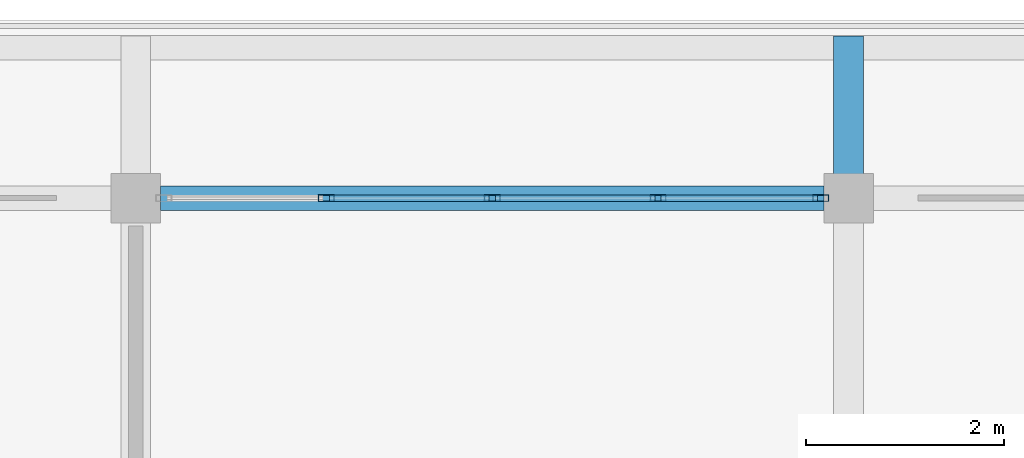
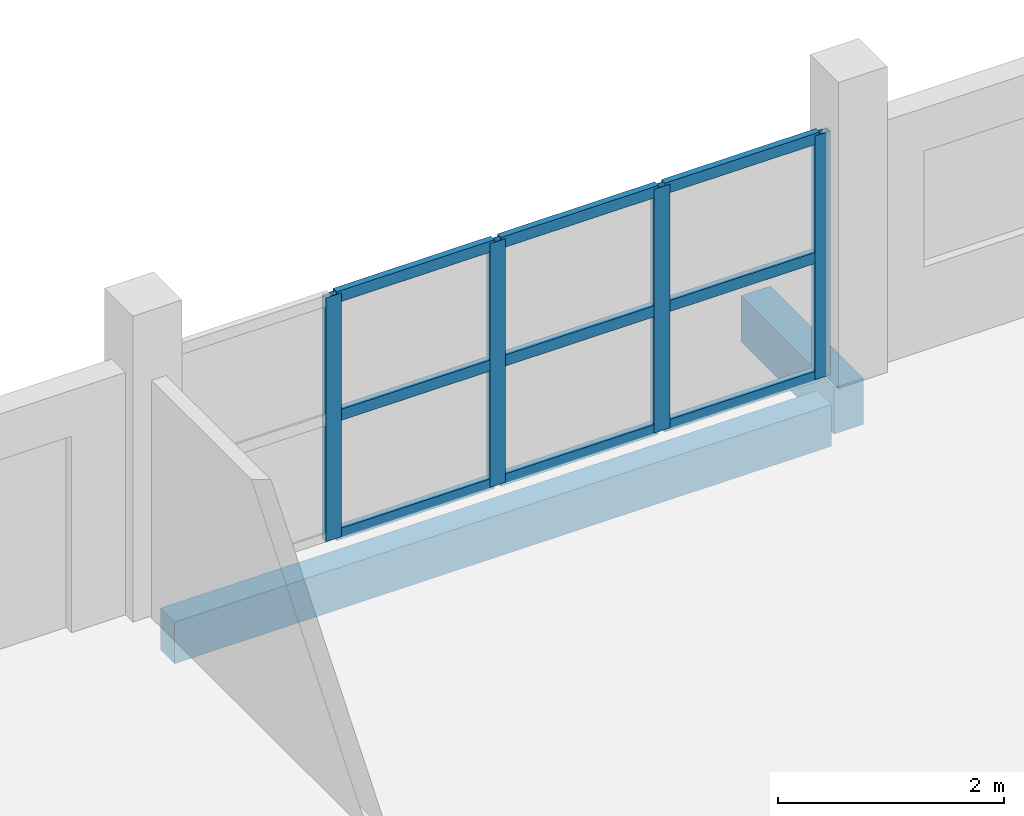
# One storey, part 7 of 19: 13 members, 2 beams, 1 element without a shape of its own.
"""IFC4 building model written with IfcOpenShell, lengths in metres."""

from ifc_helpers import new_model, si_unit, direction, frame, origin, origin_2d, place, context, subcontext, project, spatial, rectangle, hollow_rectangle, extrude, material, material_profile, profile_set, type_object, element, aggregate, save


model = new_model("IFC4")

# Units and contexts
model_context = context("Model", 3, precision=1e-05, world=origin(), true_north=direction((0.0, 1.0)))
body_context = subcontext(model_context, "Body", "Model", "MODEL_VIEW")
ifc_project = project(units=[si_unit("LENGTHUNIT", "METRE"), si_unit("AREAUNIT", "SQUARE_METRE"), si_unit("VOLUMEUNIT", "CUBIC_METRE"), si_unit("PLANEANGLEUNIT", "RADIAN"), si_unit("MASSUNIT", "GRAM", prefix="KILO")], contexts=[model_context])

# Site, building, storey
site_placement = place(None, origin())
site = spatial("IfcSite", under=ifc_project, at=site_placement, CompositionType="ELEMENT")
building_placement = place(site_placement, origin())
building = spatial("IfcBuilding", under=site, at=building_placement, Name="Suanplinth Sawtooth Commons", CompositionType="ELEMENT")
storey_placement = place(building_placement, frame((0.0, 0.0, 44.39990234375)))
storey = spatial("IfcBuildingStorey", under=building, at=storey_placement, Name="L13", CompositionType="ELEMENT", Elevation=44.39990234375)

# Beams
ifc_material_1 = material(Name="Precast concrete C40/50", Category="concrete")
ifc_material_profile_1 = material_profile(ifc_material_1, rectangle(XDim=0.300048828125, YDim=0.5, at=origin_2d()), Name="PC-BM 300x500")
ifc_profile_set_1 = profile_set([ifc_material_profile_1], Name="Precast concrete C40/50")
beam_type_1 = type_object("IfcBeamType", Name="B-07", PredefinedType="BEAM", material=ifc_profile_set_1)
beam_1_placement = place(storey_placement, frame((50.39990234375, 122.39990234375, -0.429931640625), z_axis=(0.0, 1.0, 0.0), x_axis=(-1.0, 0.0, 0.0)))
element("IfcBeam", 1, at=beam_1_placement, inside=storey, type_object=beam_type_1, Name="Balcony Outrigger L13-A-N-7", PredefinedType="BEAM", context=body_context, shape_type="SweptSolid", body=[
    extrude(rectangle(XDim=0.300048828125, YDim=0.5, at=origin_2d()), origin(), (0.0, 0.0, 1.0), 1.64013671875),
])
ifc_material_profile_2 = material_profile(ifc_material_1, rectangle(XDim=0.25, YDim=0.449951171875, at=origin_2d()), Name="PC-SP 250x450")
ifc_profile_set_2 = profile_set([ifc_material_profile_2], Name="Precast concrete C40/50")
beam_type_2 = type_object("IfcBeamType", Name="B-09", PredefinedType="SPANDREL", material=ifc_profile_set_2)
beam_2_placement = place(storey_placement, frame((43.449951171875, 122.39990234375, -0.474853515625), z_axis=(1.0, 0.0, 0.0), x_axis=(0.0, 1.0, 0.0)))
element("IfcBeam", 2, at=beam_2_placement, inside=storey, type_object=beam_type_2, Name="BMX-L13-A-6-17", PredefinedType="SPANDREL", context=body_context, shape_type="SweptSolid", body=[
    extrude(rectangle(XDim=0.25, YDim=0.449951171875, at=origin_2d()), origin(), (0.0, 0.0, 1.0), 6.699951171875),
])

# Curtain wall, members
ifc_material_2 = material(Name="Anodized aluminium and low-E glazing", Category="aluminium")
curtain_wall_type = type_object("IfcCurtainWallType", Name="CW-06", PredefinedType="USERDEFINED", material=ifc_material_2)
curtain_wall_placement = place(storey_placement, origin())
curtain_wall = element("IfcCurtainWall", 3, at=curtain_wall_placement, inside=storey, type_object=curtain_wall_type, Name="Curtain Wall CW-L13-A-LOUNGE-2", ObjectType="CURTAIN WALL", PredefinedType="USERDEFINED")
ifc_material_3 = material(Name="Anodized aluminium 6063-T6", Category="aluminium")
ifc_material_profile_3 = material_profile(ifc_material_3, hollow_rectangle(XDim=0.06494140625, YDim=0.159912109375, WallThickness=0.00390625, at=origin_2d()), Name="ALU-MUL 65x160")
ifc_profile_set_3 = profile_set([ifc_material_profile_3], Name="Anodized aluminium 6063-T6")
member_type_1 = type_object("IfcMemberType", Name="M-13", PredefinedType="MULLION", material=ifc_profile_set_3)
member_1_placement = place(storey_placement, frame((45.125, 122.39990234375, 0.0), z_axis=(0.0, 0.0, 1.0), x_axis=(0.0, 1.0, 0.0)))
member_1 = element("IfcMember", 4, at=member_1_placement, type_object=member_type_1, Name="CW-06 mullion 2", PredefinedType="MULLION", context=body_context, shape_type="SweptSolid", body=[
    extrude(hollow_rectangle(XDim=0.06494140625, YDim=0.159912109375, WallThickness=0.00390625, at=origin_2d()), origin(), (0.0, 0.0, 1.0), 2.630126953125),
])
member_2_placement = place(storey_placement, frame((46.800048828125, 122.39990234375, 0.0), z_axis=(0.0, 0.0, 1.0), x_axis=(0.0, 1.0, 0.0)))
member_2 = element("IfcMember", 5, at=member_2_placement, type_object=member_type_1, Name="CW-06 mullion 3", PredefinedType="MULLION", context=body_context, shape_type="SweptSolid", body=[
    extrude(hollow_rectangle(XDim=0.06494140625, YDim=0.159912109375, WallThickness=0.00390625, at=origin_2d()), origin(), (0.0, 0.0, 1.0), 2.630126953125),
])
member_3_placement = place(storey_placement, frame((48.47509765625, 122.39990234375, 0.0), z_axis=(0.0, 0.0, 1.0), x_axis=(0.0, 1.0, 0.0)))
member_3 = element("IfcMember", 6, at=member_3_placement, type_object=member_type_1, Name="CW-06 mullion 4", PredefinedType="MULLION", context=body_context, shape_type="SweptSolid", body=[
    extrude(hollow_rectangle(XDim=0.06494140625, YDim=0.159912109375, WallThickness=0.00390625, at=origin_2d()), origin(), (0.0, 0.0, 1.0), 2.630126953125),
])
member_4_placement = place(storey_placement, frame((50.117431640625, 122.39990234375, 0.0), z_axis=(0.0, 0.0, 1.0), x_axis=(0.0, 1.0, 0.0)))
member_4 = element("IfcMember", 7, at=member_4_placement, type_object=member_type_1, Name="CW-06 mullion 5", PredefinedType="MULLION", context=body_context, shape_type="SweptSolid", body=[
    extrude(hollow_rectangle(XDim=0.06494140625, YDim=0.159912109375, WallThickness=0.00390625, at=origin_2d()), origin(), (0.0, 0.0, 1.0), 2.630126953125),
])
ifc_material_profile_4 = material_profile(ifc_material_3, hollow_rectangle(XDim=0.06494140625, YDim=0.1201171875, WallThickness=0.00390625, at=origin_2d()), Name="ALU-TRN 65x120")
ifc_profile_set_4 = profile_set([ifc_material_profile_4], Name="Anodized aluminium 6063-T6")
member_type_2 = type_object("IfcMemberType", Name="M-15", PredefinedType="USERDEFINED", material=ifc_profile_set_4)
member_5_placement = place(storey_placement, frame((45.157470703125, 122.39990234375, 0.03271484375), z_axis=(1.0, 0.0, 0.0), x_axis=(0.0, 1.0, 0.0)))
member_5 = element("IfcMember", 8, at=member_5_placement, type_object=member_type_2, Name="CW-06 transom 2.1", ObjectType="TRANSOM", PredefinedType="USERDEFINED", context=body_context, shape_type="SweptSolid", body=[
    extrude(hollow_rectangle(XDim=0.06494140625, YDim=0.1201171875, WallThickness=0.00390625, at=origin_2d()), origin(), (0.0, 0.0, 1.0), 1.610107421875),
])
member_6_placement = place(storey_placement, frame((45.157470703125, 122.39990234375, 1.315185546875), z_axis=(1.0, 0.0, 0.0), x_axis=(0.0, 1.0, 0.0)))
member_6 = element("IfcMember", 9, at=member_6_placement, type_object=member_type_2, Name="CW-06 transom 2.2", ObjectType="TRANSOM", PredefinedType="USERDEFINED", context=body_context, shape_type="SweptSolid", body=[
    extrude(hollow_rectangle(XDim=0.06494140625, YDim=0.1201171875, WallThickness=0.00390625, at=origin_2d()), origin(), (0.0, 0.0, 1.0), 1.610107421875),
])
member_7_placement = place(storey_placement, frame((45.157470703125, 122.39990234375, 2.59765625), z_axis=(1.0, 0.0, 0.0), x_axis=(0.0, 1.0, 0.0)))
member_7 = element("IfcMember", 10, at=member_7_placement, type_object=member_type_2, Name="CW-06 transom 2.3", ObjectType="TRANSOM", PredefinedType="USERDEFINED", context=body_context, shape_type="SweptSolid", body=[
    extrude(hollow_rectangle(XDim=0.06494140625, YDim=0.1201171875, WallThickness=0.00390625, at=origin_2d()), origin(), (0.0, 0.0, 1.0), 1.610107421875),
])
member_8_placement = place(storey_placement, frame((46.83251953125, 122.39990234375, 0.03271484375), z_axis=(1.0, 0.0, 0.0), x_axis=(0.0, 1.0, 0.0)))
member_8 = element("IfcMember", 11, at=member_8_placement, type_object=member_type_2, Name="CW-06 transom 3.1", ObjectType="TRANSOM", PredefinedType="USERDEFINED", context=body_context, shape_type="SweptSolid", body=[
    extrude(hollow_rectangle(XDim=0.06494140625, YDim=0.1201171875, WallThickness=0.00390625, at=origin_2d()), origin(), (0.0, 0.0, 1.0), 1.60986328125),
])
member_9_placement = place(storey_placement, frame((46.83251953125, 122.39990234375, 1.315185546875), z_axis=(1.0, 0.0, 0.0), x_axis=(0.0, 1.0, 0.0)))
member_9 = element("IfcMember", 12, at=member_9_placement, type_object=member_type_2, Name="CW-06 transom 3.2", ObjectType="TRANSOM", PredefinedType="USERDEFINED", context=body_context, shape_type="SweptSolid", body=[
    extrude(hollow_rectangle(XDim=0.06494140625, YDim=0.1201171875, WallThickness=0.00390625, at=origin_2d()), origin(), (0.0, 0.0, 1.0), 1.60986328125),
])
member_10_placement = place(storey_placement, frame((46.83251953125, 122.39990234375, 2.59765625), z_axis=(1.0, 0.0, 0.0), x_axis=(0.0, 1.0, 0.0)))
member_10 = element("IfcMember", 13, at=member_10_placement, type_object=member_type_2, Name="CW-06 transom 3.3", ObjectType="TRANSOM", PredefinedType="USERDEFINED", context=body_context, shape_type="SweptSolid", body=[
    extrude(hollow_rectangle(XDim=0.06494140625, YDim=0.1201171875, WallThickness=0.00390625, at=origin_2d()), origin(), (0.0, 0.0, 1.0), 1.60986328125),
])
member_11_placement = place(storey_placement, frame((48.507568359375, 122.39990234375, 0.03271484375), z_axis=(1.0, 0.0, 0.0), x_axis=(0.0, 1.0, 0.0)))
member_11 = element("IfcMember", 14, at=member_11_placement, type_object=member_type_2, Name="CW-06 transom 4.1", ObjectType="TRANSOM", PredefinedType="USERDEFINED", context=body_context, shape_type="SweptSolid", body=[
    extrude(hollow_rectangle(XDim=0.06494140625, YDim=0.1201171875, WallThickness=0.00390625, at=origin_2d()), origin(), (0.0, 0.0, 1.0), 1.577392578125),
])
member_12_placement = place(storey_placement, frame((48.507568359375, 122.39990234375, 1.315185546875), z_axis=(1.0, 0.0, 0.0), x_axis=(0.0, 1.0, 0.0)))
member_12 = element("IfcMember", 15, at=member_12_placement, type_object=member_type_2, Name="CW-06 transom 4.2", ObjectType="TRANSOM", PredefinedType="USERDEFINED", context=body_context, shape_type="SweptSolid", body=[
    extrude(hollow_rectangle(XDim=0.06494140625, YDim=0.1201171875, WallThickness=0.00390625, at=origin_2d()), origin(), (0.0, 0.0, 1.0), 1.577392578125),
])
member_13_placement = place(storey_placement, frame((48.507568359375, 122.39990234375, 2.59765625), z_axis=(1.0, 0.0, 0.0), x_axis=(0.0, 1.0, 0.0)))
member_13 = element("IfcMember", 16, at=member_13_placement, type_object=member_type_2, Name="CW-06 transom 4.3", ObjectType="TRANSOM", PredefinedType="USERDEFINED", context=body_context, shape_type="SweptSolid", body=[
    extrude(hollow_rectangle(XDim=0.06494140625, YDim=0.1201171875, WallThickness=0.00390625, at=origin_2d()), origin(), (0.0, 0.0, 1.0), 1.577392578125),
])
aggregate(curtain_wall, [member_1, member_2, member_3, member_4, member_5, member_6, member_7, member_8, member_9, member_10, member_11, member_12, member_13])

save(model, "model.ifc")
